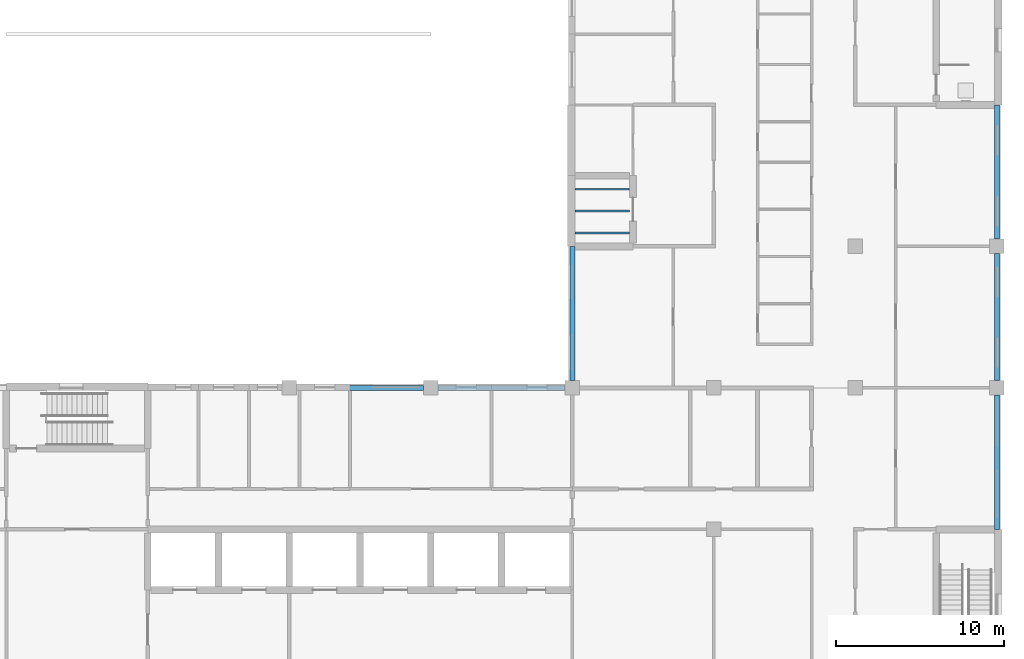
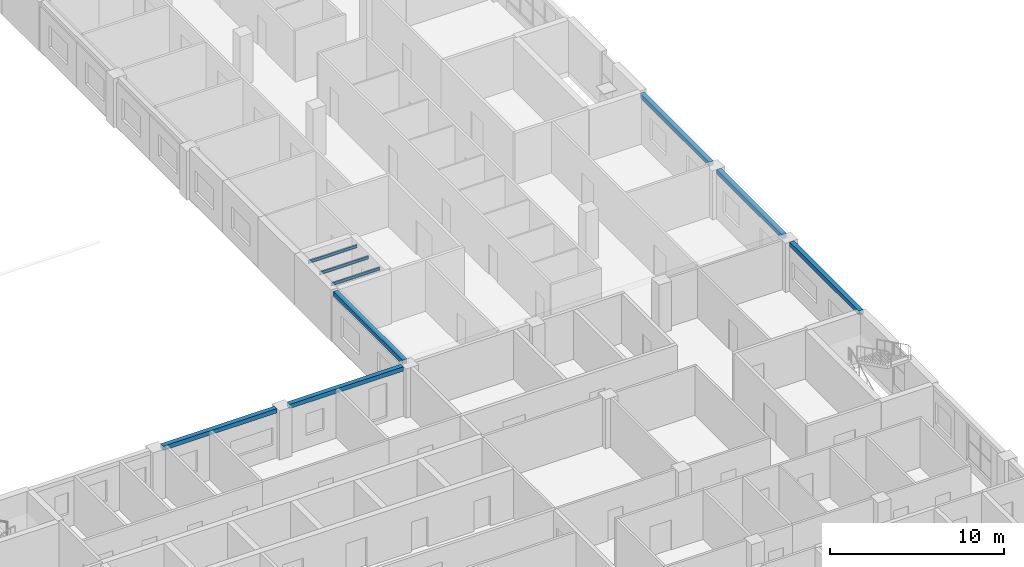
# One storey, part 37 of 94: 9 beams.
"""IFC4 building model written with IfcOpenShell, lengths in metres."""

from ifc_helpers import new_model, si_unit, direction, frame, origin, origin_2d, place, context, subcontext, project, spatial, rectangle, i_section, extrude, material, material_profile, profile_set, type_object, element, save


model = new_model("IFC4")

# Units and contexts
model_context = context("Model", 3, precision=1e-05, world=origin(), true_north=direction((0.0, 1.0)))
body_context = subcontext(model_context, "Body", "Model", "MODEL_VIEW")
ifc_project = project(units=[si_unit("LENGTHUNIT", "METRE"), si_unit("AREAUNIT", "SQUARE_METRE"), si_unit("VOLUMEUNIT", "CUBIC_METRE"), si_unit("PLANEANGLEUNIT", "RADIAN"), si_unit("MASSUNIT", "GRAM", prefix="KILO")], contexts=[model_context])

# Site, building, storey
site_placement = place(None, origin())
site = spatial("IfcSite", under=ifc_project, at=site_placement, CompositionType="ELEMENT")
building_placement = place(site_placement, origin())
building = spatial("IfcBuilding", under=site, at=building_placement, Name="Yavir Park General Hospital", CompositionType="ELEMENT")
storey_placement = place(building_placement, frame((0.0, 0.0, 4.5)))
storey = spatial("IfcBuildingStorey", under=building, at=storey_placement, Name="L01", CompositionType="ELEMENT", Elevation=4.5)

# Beams
ifc_material_1 = material(Name="Steel S355", Category="steel")
ifc_material_profile_1 = material_profile(ifc_material_1, i_section(OverallWidth=0.10009765625, OverallDepth=0.199951171875, WebThickness=0.005615234375, FlangeThickness=0.008544921875, FilletRadius=0.011962890625, at=origin_2d()), Name="IPE200")
ifc_profile_set_1 = profile_set([ifc_material_profile_1], Name="Steel S355")
beam_type_1 = type_object("IfcBeamType", Name="IPE 200 lift hoist beam", PredefinedType="BEAM", material=ifc_profile_set_1)
beam_1_placement = place(storey_placement, frame((142.949951171875, 44.10009765625, 3.35009765625), z_axis=(1.0, 0.0, 0.0), x_axis=(0.0, 1.0, 0.0)))
element("IfcBeam", 1, at=beam_1_placement, inside=storey, type_object=beam_type_1, Name="B:HOIST:BL8", PredefinedType="BEAM", context=body_context, shape_type="SweptSolid", body=[
    extrude(i_section(OverallWidth=0.10009765625, OverallDepth=0.199951171875, WebThickness=0.005615234375, FlangeThickness=0.008544921875, FilletRadius=0.011962890625, at=origin_2d()), origin(), (0.0, 0.0, 1.0), 3.25),
])
ifc_material_2 = material(Name="Steel S355", Category="steel")
ifc_material_profile_2 = material_profile(ifc_material_2, i_section(OverallWidth=0.10009765625, OverallDepth=0.199951171875, WebThickness=0.005615234375, FlangeThickness=0.008544921875, FilletRadius=0.011962890625, at=origin_2d()), Name="IPE200")
ifc_profile_set_2 = profile_set([ifc_material_profile_2], Name="Steel S355")
beam_type_2 = type_object("IfcBeamType", Name="IPE 200 lift machine beam", PredefinedType="BEAM", material=ifc_profile_set_2)
for number, where, z_axis, x_axis, name in (
    (2, (142.949951171875, 42.800048828125, 3.35009765625), (1.0, 0.0, 0.0), (0.0, 1.0, 0.0), "B:MACH:BL8:0"),
    (3, (142.949951171875, 45.39990234375, 3.35009765625), (1.0, 0.0, 0.0), (0.0, 1.0, 0.0), "B:MACH:BL8:1"),
):
    element("IfcBeam", number, at=place(storey_placement, frame(where, z_axis=z_axis, x_axis=x_axis)), inside=storey, type_object=beam_type_2, Name=name, PredefinedType="BEAM", context=body_context, shape_type="SweptSolid", body=[
        extrude(i_section(OverallWidth=0.10009765625, OverallDepth=0.199951171875, WebThickness=0.005615234375, FlangeThickness=0.008544921875, FilletRadius=0.011962890625, at=origin_2d()), origin(), (0.0, 0.0, 1.0), 3.25),
    ])
ifc_material_3 = material(Name="Concrete C35/45", Category="concrete")
ifc_material_profile_3 = material_profile(ifc_material_3, rectangle(XDim=0.300048828125, YDim=0.300048828125, at=origin_2d()), Name="RC300x300")
ifc_profile_set_3 = profile_set([ifc_material_profile_3], Name="Concrete C35/45")
beam_type_3 = type_object("IfcBeamType", Name="RC BEAM 300x300 edge beam", PredefinedType="BEAM", material=ifc_profile_set_3)
for number, where, z_axis, x_axis, name in (
    (4, (126.425048828125, 33.60009765625, 3.300048828125), (1.0, 0.0, 0.0), (0.0, 1.0, 0.0), "B:EDGE:L01:026"),
    (5, (134.824951171875, 33.60009765625, 3.300048828125), (1.0, 0.0, 0.0), (0.0, 1.0, 0.0), "B:EDGE:L01:027"),
):
    element("IfcBeam", number, at=place(storey_placement, frame(where, z_axis=z_axis, x_axis=x_axis)), inside=storey, type_object=beam_type_3, Name=name, PredefinedType="BEAM", context=body_context, shape_type="SweptSolid", body=[
        extrude(rectangle(XDim=0.300048828125, YDim=0.300048828125, at=origin_2d()), origin(), (0.0, 0.0, 1.0), 7.550048828125),
    ])
for number, where, z_axis, x_axis, name in (
    (6, (142.800048828125, 34.02490234375, 3.300048828125), (0.0, 1.0, 0.0), (-1.0, 0.0, 0.0), "B:EDGE:L01:048"),
    (7, (168.0, 25.199951171875, 3.300048828125), (0.0, 1.0, 0.0), (-1.0, 0.0, 0.0), "B:EDGE:L01:057"),
):
    element("IfcBeam", number, at=place(storey_placement, frame(where, z_axis=z_axis, x_axis=x_axis)), inside=storey, type_object=beam_type_3, Name=name, PredefinedType="BEAM", context=body_context, shape_type="SweptSolid", body=[
        extrude(rectangle(XDim=0.300048828125, YDim=0.300048828125, at=origin_2d()), origin(), (0.0, 0.0, 1.0), 7.97509765625),
    ])
beam_2_placement = place(storey_placement, frame((168.0, 34.02490234375, 3.300048828125), z_axis=(0.0, 1.0, 0.0), x_axis=(-1.0, 0.0, 0.0)))
element("IfcBeam", 8, at=beam_2_placement, inside=storey, type_object=beam_type_3, Name="B:EDGE:L01:058", PredefinedType="BEAM", context=body_context, shape_type="SweptSolid", body=[
    extrude(rectangle(XDim=0.300048828125, YDim=0.300048828125, at=origin_2d()), origin(), (0.0, 0.0, 1.0), 7.550048828125),
])
beam_3_placement = place(storey_placement, frame((168.0, 42.425048828125, 3.300048828125), z_axis=(0.0, 1.0, 0.0), x_axis=(-1.0, 0.0, 0.0)))
element("IfcBeam", 9, at=beam_3_placement, inside=storey, type_object=beam_type_3, Name="B:EDGE:L01:059", PredefinedType="BEAM", context=body_context, shape_type="SweptSolid", body=[
    extrude(rectangle(XDim=0.300048828125, YDim=0.300048828125, at=origin_2d()), origin(), (0.0, 0.0, 1.0), 7.974853515625),
])

save(model, "model.ifc")
